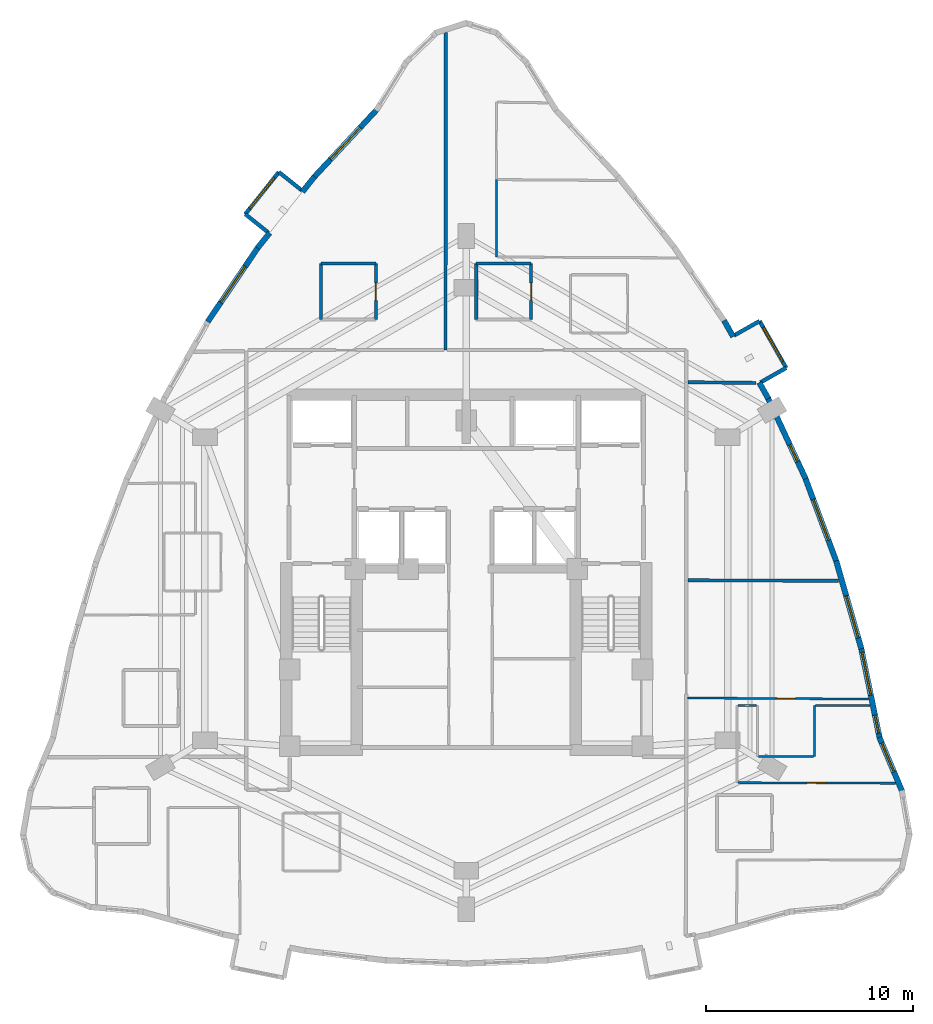
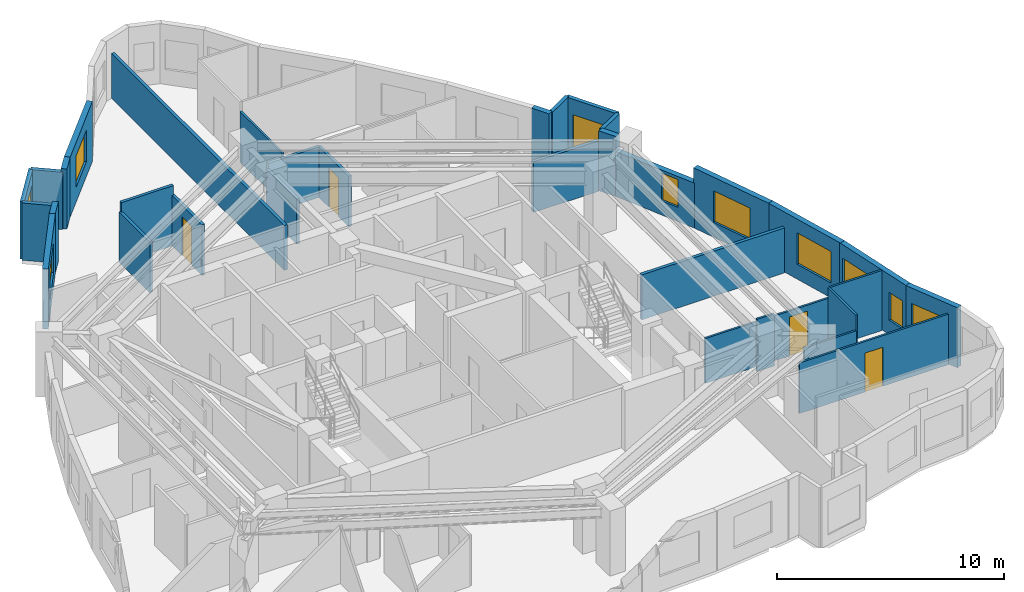
# One storey, part 9 of 11: 33 walls, 10 windows, 4 doors, 14 openings.
"""IFC4 building model written with IfcOpenShell, lengths in metres."""

from ifc_helpers import new_model, si_unit, direction, frame, frame_2d, origin, place, context, subcontext, project, spatial, rectangle, extrude, material, layer, layer_set, type_object, element, fill, save


model = new_model("IFC4")

# Units and contexts
model_context = context("Model", 3, precision=1e-05, world=origin(), true_north=direction((0.0, 1.0)))
body_context = subcontext(model_context, "Body", "Model", "MODEL_VIEW")
ifc_project = project(units=[si_unit("LENGTHUNIT", "METRE"), si_unit("AREAUNIT", "SQUARE_METRE"), si_unit("VOLUMEUNIT", "CUBIC_METRE"), si_unit("PLANEANGLEUNIT", "RADIAN"), si_unit("MASSUNIT", "GRAM", prefix="KILO")], contexts=[model_context])

# Site, building, storey
site_placement = place(None, origin())
site = spatial("IfcSite", under=ifc_project, at=site_placement, CompositionType="ELEMENT")
building_placement = place(site_placement, origin())
building = spatial("IfcBuilding", under=site, at=building_placement, Name="Miruveldt Soraemaru", CompositionType="ELEMENT")
storey_placement = place(building_placement, frame((0.0, 0.0, 159.89990234375)))
storey = spatial("IfcBuildingStorey", under=building, at=storey_placement, Name="L44", CompositionType="ELEMENT", Elevation=159.89990234375)

# Walls
ifc_material_1 = material(Name="White powder-coated aluminium EN AW-6060 T6", Category="aluminium")
ifc_layer_1 = layer(ifc_material_1, 0.18994140625, Name="White powder-coated aluminium EN AW-6060 T6", Category="aluminium")
ifc_layer_set_1 = layer_set([ifc_layer_1], Name="White powder-coated aluminium EN AW-6060 T6")
wall_type_1 = type_object("IfcWallType", Name="WALL-BAY-ALU190", PredefinedType="SOLIDWALL", material=ifc_layer_set_1)
for number, where, z_axis, x_axis, name in (
    (1, (36.082275390625, 62.29296875, 0.0), (0.0, 0.0, 1.0), (-0.781737193764, 0.623608017817, 0.0), "L44 Bay Window Side Cheek 4L"),
    (2, (33.3466796875, 61.149169921875, 0.0), (0.0, 0.0, 1.0), (0.781737193764, -0.623608017817, 0.0), "L44 Bay Window Side Cheek 4R"),
):
    element("IfcWall", number, at=place(storey_placement, frame(where, z_axis=z_axis, x_axis=x_axis)), inside=storey, type_object=wall_type_1, Name=name, PredefinedType="SOLIDWALL", context=body_context, shape_type="SweptSolid", body=[
        extrude(rectangle(XDim=1.425048828125, YDim=0.18994140625, at=frame_2d((0.71240234375, 0.0))), origin(), (0.0, 0.0, 1.0), 3.085205078125),
    ])

# Wall, opening, window
wall_1_placement = place(storey_placement, frame((34.96826171875, 63.181640625, 0.0), z_axis=(0.0, 0.0, 1.0), x_axis=(-0.623663926583, -0.781692590907, 0.0)))
wall_1 = element("IfcWall", 3, at=wall_1_placement, inside=storey, type_object=wall_type_1, Name="L44 Bay Window Front Frame 4", PredefinedType="SOLIDWALL", context=body_context, shape_type="SweptSolid", body=[
    extrude(rectangle(XDim=2.60009765625, YDim=0.18994140625, at=frame_2d((1.300048828125, 0.0))), origin(), (0.0, 0.0, 1.0), 3.085205078125),
])
opening_1_placement = place(wall_1_placement, frame((0.35009765625, 0.0, 0.550048828125)))
opening_1 = element("IfcOpeningElement", 4, at=opening_1_placement, cuts=wall_1, Name="Opening WN-6", PredefinedType="OPENING", context=body_context, shape_type="SweptSolid", body=[
    extrude(rectangle(XDim=1.89990234375, YDim=1.85009765625, at=frame_2d((0.949951171875, 0.925048828125))), frame((0.0, 0.10498046875, 0.0), z_axis=(0.0, -1.0, 0.0), x_axis=(1.0, 0.0, 0.0)), (0.0, 0.0, 1.0), 0.2099609375),
])
ifc_material_2 = material(Name="Triple low-e insulated glazing", Category="glass")
window_type_1 = type_object("IfcWindowType", Name="WIN-BAYW-1900x1850", PartitioningType="SINGLE_PANEL", PredefinedType="WINDOW", material=ifc_material_2)
window_1_placement = place(opening_1_placement, origin())
window_1 = element("IfcWindow", 5, at=window_1_placement, inside=storey, type_object=window_type_1, Name="L44 Projecting Bay Window 4", OverallHeight=1.85009765625, OverallWidth=1.89990234375, PartitioningType="SINGLE_PANEL", PredefinedType="WINDOW", context=body_context, shape_type="SweptSolid", body=[
    extrude(rectangle(XDim=1.89990234375, YDim=1.85009765625, at=frame_2d((0.949951171875, 0.925048828125))), frame((0.0, 0.030029296875, 0.0), z_axis=(0.0, -1.0, 0.0), x_axis=(1.0, 0.0, 0.0)), (0.0, 0.0, 1.0), 0.06005859375),
])
fill(opening_1, window_1)

# Walls
wall_2_placement = place(storey_placement, frame((58.1845703125, 53.0380859375, 0.0), z_axis=(0.0, 0.0, 1.0), x_axis=(0.869799191674, 0.493405883794, 0.0)))
element("IfcWall", 6, at=wall_2_placement, inside=storey, type_object=wall_type_1, Name="L44 Bay Window Side Cheek 3L", PredefinedType="SOLIDWALL", context=body_context, shape_type="SweptSolid", body=[
    extrude(rectangle(XDim=1.425048828125, YDim=0.18994140625, at=frame_2d((0.71240234375, 0.0))), origin(), (0.0, 0.0, 1.0), 3.235107421875),
])
wall_3_placement = place(storey_placement, frame((58.141357421875, 56.002685546875, 0.0), z_axis=(0.0, 0.0, 1.0), x_axis=(-0.869872713252, -0.493276253979, 0.0)))
element("IfcWall", 7, at=wall_3_placement, inside=storey, type_object=wall_type_1, Name="L44 Bay Window Side Cheek 3R", PredefinedType="SOLIDWALL", context=body_context, shape_type="SweptSolid", body=[
    extrude(rectangle(XDim=1.4248046875, YDim=0.18994140625, at=frame_2d((0.71240234375, 0.0))), origin(), (0.0, 0.0, 1.0), 3.235107421875),
])

# Wall, opening, window
wall_4_placement = place(storey_placement, frame((59.424072265625, 53.7412109375, 0.0), z_axis=(0.0, 0.0, 1.0), x_axis=(-0.493365555553, 0.869822067203, 0.0)))
wall_4 = element("IfcWall", 8, at=wall_4_placement, inside=storey, type_object=wall_type_1, Name="L44 Bay Window Front Frame 3", PredefinedType="SOLIDWALL", context=body_context, shape_type="SweptSolid", body=[
    extrude(rectangle(XDim=2.599853515625, YDim=0.18994140625, at=frame_2d((1.2998046875, 0.0))), origin(), (0.0, 0.0, 1.0), 3.235107421875),
])
opening_2_placement = place(wall_4_placement, frame((0.35009765625, 0.0, 0.550048828125)))
opening_2 = element("IfcOpeningElement", 9, at=opening_2_placement, cuts=wall_4, Name="Opening WN-6", PredefinedType="OPENING", context=body_context, shape_type="SweptSolid", body=[
    extrude(rectangle(XDim=1.89990234375, YDim=1.85009765625, at=frame_2d((0.949951171875, 0.925048828125))), frame((0.0, 0.10498046875, 0.0), z_axis=(0.0, -1.0, 0.0), x_axis=(1.0, 0.0, 0.0)), (0.0, 0.0, 1.0), 0.2099609375),
])
window_2_placement = place(opening_2_placement, origin())
window_2 = element("IfcWindow", 10, at=window_2_placement, inside=storey, type_object=window_type_1, Name="L44 Projecting Bay Window 3", OverallHeight=1.85009765625, OverallWidth=1.89990234375, PartitioningType="SINGLE_PANEL", PredefinedType="WINDOW", context=body_context, shape_type="SweptSolid", body=[
    extrude(rectangle(XDim=1.89990234375, YDim=1.85009765625, at=frame_2d((0.949951171875, 0.925048828125))), frame((0.0, 0.030029296875, 0.0), z_axis=(0.0, -1.0, 0.0), x_axis=(1.0, 0.0, 0.0)), (0.0, 0.0, 1.0), 0.06005859375),
])
fill(opening_2, window_2)

ifc_material_3 = material(Name="Precast concrete C45/55 (45 MPa)", Category="concrete")
ifc_layer_2 = layer(ifc_material_3, 0.27001953125, Name="Precast concrete C45/55 (45 MPa)", Category="concrete")
ifc_layer_set_2 = layer_set([ifc_layer_2], Name="Precast concrete C45/55 (45 MPa)")
wall_type_2 = type_object("IfcWallType", Name="WALL-EXT-PC270", PredefinedType="SOLIDWALL", material=ifc_layer_set_2)
wall_5_placement = place(storey_placement, frame((39.70263671875, 66.203369140625, 0.0), z_axis=(0.0, 0.0, 1.0), x_axis=(-0.680872139793, -0.732402300142, 0.0)))
wall_5 = element("IfcWall", 11, at=wall_5_placement, inside=storey, type_object=wall_type_2, Name="L44 Precast Concrete Facade Wall 7", PredefinedType="SOLIDWALL", context=body_context, shape_type="SweptSolid", body=[
    extrude(rectangle(XDim=4.491455078125, YDim=0.27001953125, at=frame_2d((2.24560546875, 0.0))), origin(), (0.0, 0.0, 1.0), 3.235107421875),
])
opening_3_placement = place(wall_5_placement, frame((1.195068359375, 0.0, 0.800048828125)))
opening_3 = element("IfcOpeningElement", 12, at=opening_3_placement, cuts=wall_5, Name="Opening WN-1", PredefinedType="OPENING", context=body_context, shape_type="SweptSolid", body=[
    extrude(rectangle(XDim=2.10009765625, YDim=1.699951171875, at=frame_2d((1.050048828125, 0.85009765625))), frame((0.0, 0.14501953125, 0.0), z_axis=(0.0, -1.0, 0.0), x_axis=(1.0, 0.0, 0.0)), (0.0, 0.0, 1.0), 0.2900390625),
])
window_type_2 = type_object("IfcWindowType", Name="WIN-PUNCH-2100x1700", PartitioningType="SINGLE_PANEL", PredefinedType="WINDOW", material=ifc_material_2)
window_3_placement = place(opening_3_placement, origin())
window_3 = element("IfcWindow", 13, at=window_3_placement, inside=storey, type_object=window_type_2, Name="L44 Punched Triple-Glazed Window 07.1", OverallHeight=1.699951171875, OverallWidth=2.10009765625, PartitioningType="SINGLE_PANEL", PredefinedType="WINDOW", context=body_context, shape_type="SweptSolid", body=[
    extrude(rectangle(XDim=2.10009765625, YDim=1.699951171875, at=frame_2d((1.050048828125, 0.85009765625))), frame((0.0, 0.030029296875, 0.0), z_axis=(0.0, -1.0, 0.0), x_axis=(1.0, 0.0, 0.0)), (0.0, 0.0, 1.0), 0.06005859375),
])
fill(opening_3, window_3)

# Walls
wall_6_placement = place(storey_placement, frame((36.690185546875, 62.966796875, 0.0), z_axis=(0.0, 0.0, 1.0), x_axis=(-0.623485377365, -0.781835010863, 0.0)))
element("IfcWall", 14, at=wall_6_placement, inside=storey, type_object=wall_type_2, Name="L44 Precast Pier Wall 8A", PredefinedType="SOLIDWALL", context=body_context, shape_type="SweptSolid", body=[
    extrude(rectangle(XDim=0.935791015625, YDim=0.27001953125, at=frame_2d((0.4677734375, 0.0))), origin(), (0.0, 0.0, 1.0), 3.235107421875),
])
wall_7_placement = place(storey_placement, frame((34.5224609375, 60.249755859375, 0.0), z_axis=(0.0, 0.0, 1.0), x_axis=(-0.623358229421, -0.781936389876, 0.0)))
element("IfcWall", 15, at=wall_7_placement, inside=storey, type_object=wall_type_2, Name="L44 Precast Pier Wall 8B", PredefinedType="SOLIDWALL", context=body_context, shape_type="SweptSolid", body=[
    extrude(rectangle(XDim=0.93603515625, YDim=0.27001953125, at=frame_2d((0.468017578125, 0.0))), origin(), (0.0, 0.0, 1.0), 3.235107421875),
])

# Wall, opening, window
wall_8_placement = place(storey_placement, frame((33.980224609375, 59.57421875, 0.0), z_axis=(0.0, 0.0, 1.0), x_axis=(-0.560825848464, -0.827933794271, 0.0)))
wall_8 = element("IfcWall", 16, at=wall_8_placement, inside=storey, type_object=wall_type_2, Name="L44 Precast Concrete Facade Wall 9", PredefinedType="SOLIDWALL", context=body_context, shape_type="SweptSolid", body=[
    extrude(rectangle(XDim=4.35791015625, YDim=0.27001953125, at=frame_2d((2.178955078125, 0.0))), origin(), (0.0, 0.0, 1.0), 3.235107421875),
])
opening_4_placement = place(wall_8_placement, frame((1.12890625, 0.0, 0.800048828125)))
opening_4 = element("IfcOpeningElement", 17, at=opening_4_placement, cuts=wall_8, Name="Opening WN-1", PredefinedType="OPENING", context=body_context, shape_type="SweptSolid", body=[
    extrude(rectangle(XDim=2.10009765625, YDim=1.699951171875, at=frame_2d((1.050048828125, 0.85009765625))), frame((0.0, 0.14501953125, 0.0), z_axis=(0.0, -1.0, 0.0), x_axis=(1.0, 0.0, 0.0)), (0.0, 0.0, 1.0), 0.2900390625),
])
window_4_placement = place(opening_4_placement, origin())
window_4 = element("IfcWindow", 18, at=window_4_placement, inside=storey, type_object=window_type_2, Name="L44 Punched Triple-Glazed Window 09.1", OverallHeight=1.699951171875, OverallWidth=2.10009765625, PartitioningType="SINGLE_PANEL", PredefinedType="WINDOW", context=body_context, shape_type="SweptSolid", body=[
    extrude(rectangle(XDim=2.10009765625, YDim=1.699951171875, at=frame_2d((1.050048828125, 0.85009765625))), frame((0.0, 0.030029296875, 0.0), z_axis=(0.0, -1.0, 0.0), x_axis=(1.0, 0.0, 0.0)), (0.0, 0.0, 1.0), 0.06005859375),
])
fill(opening_4, window_4)

wall_9_placement = place(storey_placement, frame((65.021728515625, 33.308837890625, 0.0), z_axis=(0.0, 0.0, 1.0), x_axis=(-0.38860845705, 0.921402988442, 0.0)))
wall_9 = element("IfcWall", 19, at=wall_9_placement, inside=storey, type_object=wall_type_2, Name="L44 Precast Concrete Facade Wall 34", PredefinedType="SOLIDWALL", context=body_context, shape_type="SweptSolid", body=[
    extrude(rectangle(XDim=2.849609375, YDim=0.27001953125, at=frame_2d((1.4248046875, 0.0))), origin(), (0.0, 0.0, 1.0), 3.235107421875),
])
opening_5_placement = place(wall_9_placement, frame((1.050048828125, 0.0, 0.800048828125)))
opening_5 = element("IfcOpeningElement", 20, at=opening_5_placement, cuts=wall_9, Name="Opening WN-3", PredefinedType="OPENING", context=body_context, shape_type="SweptSolid", body=[
    extrude(rectangle(XDim=1.5, YDim=1.60009765625, at=frame_2d((0.75, 0.800048828125))), frame((0.0, 0.14501953125, 0.0), z_axis=(0.0, -1.0, 0.0), x_axis=(1.0, 0.0, 0.0)), (0.0, 0.0, 1.0), 0.2900390625),
])
window_type_3 = type_object("IfcWindowType", Name="WIN-PUNCH-1500x1600", PartitioningType="SINGLE_PANEL", PredefinedType="WINDOW", material=ifc_material_2)
window_5_placement = place(opening_5_placement, origin())
window_5 = element("IfcWindow", 21, at=window_5_placement, inside=storey, type_object=window_type_3, Name="L44 Punched Triple-Glazed Window 34.1", OverallHeight=1.60009765625, OverallWidth=1.5, PartitioningType="SINGLE_PANEL", PredefinedType="WINDOW", context=body_context, shape_type="SweptSolid", body=[
    extrude(rectangle(XDim=1.5, YDim=1.60009765625, at=frame_2d((0.75, 0.800048828125))), frame((0.0, 0.030029296875, 0.0), z_axis=(0.0, -1.0, 0.0), x_axis=(1.0, 0.0, 0.0)), (0.0, 0.0, 1.0), 0.06005859375),
])
fill(opening_5, window_5)

# Wall, openings, windows
wall_10_placement = place(storey_placement, frame((63.934814453125, 35.8681640625, 0.0), z_axis=(0.0, 0.0, 1.0), x_axis=(-0.201559360884, 0.979476300908, 0.0)))
wall_10 = element("IfcWall", 22, at=wall_10_placement, inside=storey, type_object=wall_type_2, Name="L44 Precast Concrete Facade Wall 35", PredefinedType="SOLIDWALL", context=body_context, shape_type="SweptSolid", body=[
    extrude(rectangle(XDim=4.491455078125, YDim=0.27001953125, at=frame_2d((2.24560546875, 0.0))), origin(), (0.0, 0.0, 1.0), 3.235107421875),
])
opening_6_placement = place(wall_10_placement, frame((0.259033203125, 0.0, 0.780029296875)))
opening_6 = element("IfcOpeningElement", 23, at=opening_6_placement, cuts=wall_10, Name="Opening WN-7", PredefinedType="OPENING", context=body_context, shape_type="SweptSolid", body=[
    extrude(rectangle(XDim=0.89990234375, YDim=1.5, at=frame_2d((0.449951171875, 0.75))), frame((0.0, 0.14501953125, 0.0), z_axis=(0.0, -1.0, 0.0), x_axis=(1.0, 0.0, 0.0)), (0.0, 0.0, 1.0), 0.2900390625),
])
opening_7_placement = place(wall_10_placement, frame((2.14501953125, 0.0, 0.800048828125)))
opening_7 = element("IfcOpeningElement", 24, at=opening_7_placement, cuts=wall_10, Name="Opening WN-1", PredefinedType="OPENING", context=body_context, shape_type="SweptSolid", body=[
    extrude(rectangle(XDim=2.10009765625, YDim=1.699951171875, at=frame_2d((1.050048828125, 0.85009765625))), frame((0.0, 0.14501953125, 0.0), z_axis=(0.0, -1.0, 0.0), x_axis=(1.0, 0.0, 0.0)), (0.0, 0.0, 1.0), 0.2900390625),
])
window_6_placement = place(opening_7_placement, origin())
window_6 = element("IfcWindow", 25, at=window_6_placement, inside=storey, type_object=window_type_2, Name="L44 Punched Triple-Glazed Window 35.2", OverallHeight=1.699951171875, OverallWidth=2.10009765625, PartitioningType="SINGLE_PANEL", PredefinedType="WINDOW", context=body_context, shape_type="SweptSolid", body=[
    extrude(rectangle(XDim=2.10009765625, YDim=1.699951171875, at=frame_2d((1.050048828125, 0.85009765625))), frame((0.0, 0.030029296875, 0.0), z_axis=(0.0, -1.0, 0.0), x_axis=(1.0, 0.0, 0.0)), (0.0, 0.0, 1.0), 0.06005859375),
])
fill(opening_7, window_6)
window_type_4 = type_object("IfcWindowType", Name="WIN-PUNCH-900x1500", PartitioningType="SINGLE_PANEL", PredefinedType="WINDOW", material=ifc_material_2)
window_7_placement = place(opening_6_placement, origin())
window_7 = element("IfcWindow", 26, at=window_7_placement, inside=storey, type_object=window_type_4, Name="L44 Punched Triple-Glazed Window 35.1", OverallHeight=1.5, OverallWidth=0.89990234375, PartitioningType="SINGLE_PANEL", PredefinedType="WINDOW", context=body_context, shape_type="SweptSolid", body=[
    extrude(rectangle(XDim=0.89990234375, YDim=1.5, at=frame_2d((0.449951171875, 0.75))), frame((0.0, 0.030029296875, 0.0), z_axis=(0.0, -1.0, 0.0), x_axis=(1.0, 0.0, 0.0)), (0.0, 0.0, 1.0), 0.06005859375),
])
fill(opening_6, window_7)

# Wall, opening, window
wall_11_placement = place(storey_placement, frame((63.046142578125, 40.199462890625, 0.0), z_axis=(0.0, 0.0, 1.0), x_axis=(-0.274962298685, 0.961455008985, 0.0)))
wall_11 = element("IfcWall", 27, at=wall_11_placement, inside=storey, type_object=wall_type_2, Name="L44 Precast Concrete Facade Wall 36", PredefinedType="SOLIDWALL", context=body_context, shape_type="SweptSolid", body=[
    extrude(rectangle(XDim=4.412109375, YDim=0.27001953125, at=frame_2d((2.2060546875, 0.0))), origin(), (0.0, 0.0, 1.0), 3.235107421875),
])
opening_8_placement = place(wall_11_placement, frame((0.55810546875, 0.0, 0.800048828125)))
opening_8 = element("IfcOpeningElement", 28, at=opening_8_placement, cuts=wall_11, Name="Opening WN-1", PredefinedType="OPENING", context=body_context, shape_type="SweptSolid", body=[
    extrude(rectangle(XDim=2.10009765625, YDim=1.699951171875, at=frame_2d((1.050048828125, 0.85009765625))), frame((0.0, 0.14501953125, 0.0), z_axis=(0.0, -1.0, 0.0), x_axis=(1.0, 0.0, 0.0)), (0.0, 0.0, 1.0), 0.2900390625),
])
window_8_placement = place(opening_8_placement, origin())
window_8 = element("IfcWindow", 29, at=window_8_placement, inside=storey, type_object=window_type_2, Name="L44 Punched Triple-Glazed Window 36.1", OverallHeight=1.699951171875, OverallWidth=2.10009765625, PartitioningType="SINGLE_PANEL", PredefinedType="WINDOW", context=body_context, shape_type="SweptSolid", body=[
    extrude(rectangle(XDim=2.10009765625, YDim=1.699951171875, at=frame_2d((1.050048828125, 0.85009765625))), frame((0.0, 0.030029296875, 0.0), z_axis=(0.0, -1.0, 0.0), x_axis=(1.0, 0.0, 0.0)), (0.0, 0.0, 1.0), 0.06005859375),
])
fill(opening_8, window_8)

wall_12_placement = place(storey_placement, frame((61.85498046875, 44.375, 0.0), z_axis=(0.0, 0.0, 1.0), x_axis=(-0.349059830359, 0.937100440097, 0.0)))
wall_12 = element("IfcWall", 30, at=wall_12_placement, inside=storey, type_object=wall_type_2, Name="L44 Precast Concrete Facade Wall 37", PredefinedType="SOLIDWALL", context=body_context, shape_type="SweptSolid", body=[
    extrude(rectangle(XDim=4.358154296875, YDim=0.27001953125, at=frame_2d((2.17919921875, 0.0))), origin(), (0.0, 0.0, 1.0), 3.235107421875),
])
opening_9_placement = place(wall_12_placement, frame((1.12890625, 0.0, 0.800048828125)))
opening_9 = element("IfcOpeningElement", 31, at=opening_9_placement, cuts=wall_12, Name="Opening WN-1", PredefinedType="OPENING", context=body_context, shape_type="SweptSolid", body=[
    extrude(rectangle(XDim=2.10009765625, YDim=1.699951171875, at=frame_2d((1.050048828125, 0.85009765625))), frame((0.0, 0.14501953125, 0.0), z_axis=(0.0, -1.0, 0.0), x_axis=(1.0, 0.0, 0.0)), (0.0, 0.0, 1.0), 0.2900390625),
])
window_9_placement = place(opening_9_placement, origin())
window_9 = element("IfcWindow", 32, at=window_9_placement, inside=storey, type_object=window_type_2, Name="L44 Punched Triple-Glazed Window 37.1", OverallHeight=1.699951171875, OverallWidth=2.10009765625, PartitioningType="SINGLE_PANEL", PredefinedType="WINDOW", context=body_context, shape_type="SweptSolid", body=[
    extrude(rectangle(XDim=2.10009765625, YDim=1.699951171875, at=frame_2d((1.050048828125, 0.85009765625))), frame((0.0, 0.030029296875, 0.0), z_axis=(0.0, -1.0, 0.0), x_axis=(1.0, 0.0, 0.0)), (0.0, 0.0, 1.0), 0.06005859375),
])
fill(opening_9, window_9)

wall_13_placement = place(storey_placement, frame((60.36083984375, 48.39453125, 0.0), z_axis=(0.0, 0.0, 1.0), x_axis=(-0.422329907361, 0.906442193054, 0.0)))
wall_13 = element("IfcWall", 33, at=wall_13_placement, inside=storey, type_object=wall_type_2, Name="L44 Precast Concrete Facade Wall 38", PredefinedType="SOLIDWALL", context=body_context, shape_type="SweptSolid", body=[
    extrude(rectangle(XDim=4.3310546875, YDim=0.27001953125, at=frame_2d((2.16552734375, 0.0))), origin(), (0.0, 0.0, 1.0), 2.423095703125),
])
opening_10_placement = place(wall_13_placement, frame((0.907958984375, 0.0, 0.762939453125)))
opening_10 = element("IfcOpeningElement", 34, at=opening_10_placement, cuts=wall_13, Name="Opening WN-7", PredefinedType="OPENING", context=body_context, shape_type="SweptSolid", body=[
    extrude(rectangle(XDim=0.89990234375, YDim=1.5, at=frame_2d((0.449951171875, 0.75))), frame((0.0, 0.14501953125, 0.0), z_axis=(0.0, -1.0, 0.0), x_axis=(1.0, 0.0, 0.0)), (0.0, 0.0, 1.0), 0.2900390625),
])
window_10_placement = place(opening_10_placement, origin())
window_10 = element("IfcWindow", 35, at=window_10_placement, inside=storey, type_object=window_type_4, Name="L44 Punched Triple-Glazed Window 38.1", OverallHeight=1.5, OverallWidth=0.89990234375, PartitioningType="SINGLE_PANEL", PredefinedType="WINDOW", context=body_context, shape_type="SweptSolid", body=[
    extrude(rectangle(XDim=0.89990234375, YDim=1.5, at=frame_2d((0.449951171875, 0.75))), frame((0.0, 0.030029296875, 0.0), z_axis=(0.0, -1.0, 0.0), x_axis=(1.0, 0.0, 0.0)), (0.0, 0.0, 1.0), 0.06005859375),
])
fill(opening_10, window_10)

# Walls
wall_14_placement = place(storey_placement, frame((58.563720703125, 52.25830078125, 0.0), z_axis=(0.0, 0.0, 1.0), x_axis=(-0.493287755382, 0.869866191083, 0.0)))
element("IfcWall", 36, at=wall_14_placement, inside=storey, type_object=wall_type_2, Name="L44 Precast Pier Wall 39A", PredefinedType="SOLIDWALL", context=body_context, shape_type="SweptSolid", body=[
    extrude(rectangle(XDim=0.895263671875, YDim=0.27001953125, at=frame_2d((0.44775390625, 0.0))), origin(), (0.0, 0.0, 1.0), 3.235107421875),
])
wall_15_placement = place(storey_placement, frame((56.868896484375, 55.24658203125, 0.0), z_axis=(0.0, 0.0, 1.0), x_axis=(-0.493494045792, 0.869749174629, 0.0)))
element("IfcWall", 37, at=wall_15_placement, inside=storey, type_object=wall_type_2, Name="L44 Precast Pier Wall 39B", PredefinedType="SOLIDWALL", context=body_context, shape_type="SweptSolid", body=[
    extrude(rectangle(XDim=0.8955078125, YDim=0.27001953125, at=frame_2d((0.44775390625, 0.0))), origin(), (0.0, 0.0, 1.0), 3.235107421875),
])

# Wall, opening, door
ifc_material_4 = material(Name="Gypsum plasterboard lining", Category="gypsum")
ifc_layer_3 = layer(ifc_material_4, 0.10009765625, Name="Gypsum plasterboard lining", Category="gypsum")
ifc_layer_set_3 = layer_set([ifc_layer_3], Name="Gypsum plasterboard lining")
wall_type_3 = type_object("IfcWallType", Name="WALL-INT-P100", PredefinedType="PARTITIONING", material=ifc_layer_set_3)
wall_16_placement = place(storey_placement, frame((63.395751953125, 37.778564453125, 0.0), z_axis=(0.0, 0.0, 1.0), x_axis=(-0.999982593788, 0.005900179729, 0.0)))
wall_16 = element("IfcWall", 38, at=wall_16_placement, inside=storey, type_object=wall_type_3, Name="L44 Partition Wall 51", PredefinedType="PARTITIONING", context=body_context, shape_type="SweptSolid", body=[
    extrude(rectangle(XDim=8.73095703125, YDim=0.10009765625, at=frame_2d((4.365478515625, 0.0))), origin(), (0.0, 0.0, 1.0), 2.423095703125),
])
opening_11_placement = place(wall_16_placement, frame((3.531005859375, 0.0, 0.0)))
opening_11 = element("IfcOpeningElement", 39, at=opening_11_placement, cuts=wall_16, Name="Opening D3A", PredefinedType="OPENING", context=body_context, shape_type="SweptSolid", body=[
    extrude(rectangle(XDim=0.919921875, YDim=2.10009765625, at=frame_2d((0.4599609375, 1.050048828125))), frame((0.0, 0.06005859375, 0.0), z_axis=(0.0, -1.0, 0.0), x_axis=(1.0, 0.0, 0.0)), (0.0, 0.0, 1.0), 0.1201171875),
])
ifc_material_5 = material(Name="Anodised aluminium EN AW-6063 T6", Category="aluminium")
door_type_1 = type_object("IfcDoorType", Name="DOOR-INT-920", OperationType="NOTDEFINED", PredefinedType="DOOR", material=ifc_material_5)
door_1_placement = place(opening_11_placement, origin())
door_1 = element("IfcDoor", 40, at=door_1_placement, inside=storey, type_object=door_type_1, Name="L44 Unit 4405 KIT Door", OperationType="SINGLE_SWING_RIGHT", OverallHeight=2.10009765625, OverallWidth=0.919921875, PredefinedType="DOOR", context=body_context, shape_type="SweptSolid", body=[
    extrude(rectangle(XDim=0.919921875, YDim=2.10009765625, at=frame_2d((0.4599609375, 1.050048828125))), frame((0.0, 0.02490234375, 0.0), z_axis=(0.0, -1.0, 0.0), x_axis=(1.0, 0.0, 0.0)), (0.0, 0.0, 1.0), 0.050048828125),
])
fill(opening_11, door_1)

wall_17_placement = place(storey_placement, frame((64.68603515625, 33.719970703125, 0.0), z_axis=(0.0, 0.0, 1.0), x_axis=(-0.999993619226, 0.0035723253, 0.0)))
wall_17 = element("IfcWall", 41, at=wall_17_placement, inside=storey, type_object=wall_type_3, Name="L44 Partition Wall 54", PredefinedType="PARTITIONING", context=body_context, shape_type="SweptSolid", body=[
    extrude(rectangle(XDim=7.5859375, YDim=0.10009765625, at=frame_2d((3.79296875, 0.0))), origin(), (0.0, 0.0, 1.0), 2.72314453125),
])
opening_12_placement = place(wall_17_placement, frame((3.3330078125, 0.0, 0.0)))
opening_12 = element("IfcOpeningElement", 42, at=opening_12_placement, cuts=wall_17, Name="Opening D3A", PredefinedType="OPENING", context=body_context, shape_type="SweptSolid", body=[
    extrude(rectangle(XDim=0.919921875, YDim=2.10009765625, at=frame_2d((0.4599609375, 1.050048828125))), frame((0.0, 0.06005859375, 0.0), z_axis=(0.0, -1.0, 0.0), x_axis=(1.0, 0.0, 0.0)), (0.0, 0.0, 1.0), 0.1201171875),
])
door_2_placement = place(opening_12_placement, origin())
door_2 = element("IfcDoor", 43, at=door_2_placement, inside=storey, type_object=door_type_1, Name="L44 Unit 4405 EXT Door", OperationType="SINGLE_SWING_RIGHT", OverallHeight=2.10009765625, OverallWidth=0.919921875, PredefinedType="DOOR", context=body_context, shape_type="SweptSolid", body=[
    extrude(rectangle(XDim=0.919921875, YDim=2.10009765625, at=frame_2d((0.4599609375, 1.050048828125))), frame((0.0, 0.02490234375, 0.0), z_axis=(0.0, -1.0, 0.0), x_axis=(1.0, 0.0, 0.0)), (0.0, 0.0, 1.0), 0.050048828125),
])
fill(opening_12, door_2)

# Walls
wall_18_placement = place(storey_placement, frame((45.449951171875, 59.08203125, 0.0), z_axis=(0.0, 0.0, 1.0), x_axis=(0.0, 1.0, 0.0)))
element("IfcWall", 44, at=wall_18_placement, inside=storey, type_object=wall_type_3, Name="L44 Partition Wall 26", PredefinedType="PARTITIONING", context=body_context, shape_type="SweptSolid", body=[
    extrude(rectangle(XDim=3.73388671875, YDim=0.10009765625, at=frame_2d((1.866943359375, 0.0))), origin(), (0.0, 0.0, 1.0), 2.72314453125),
])
wall_19_placement = place(storey_placement, frame((58.080078125, 35.010009765625, 0.0), z_axis=(0.0, 0.0, 1.0), x_axis=(1.0, 0.0, 0.0)))
element("IfcWall", 45, at=wall_19_placement, inside=storey, type_object=wall_type_3, Name="L44 Partition Wall 60", PredefinedType="PARTITIONING", context=body_context, shape_type="SweptSolid", body=[
    extrude(rectangle(XDim=2.64990234375, YDim=0.10009765625, at=frame_2d((1.324951171875, 0.0))), origin(), (0.0, 0.0, 1.0), 2.423095703125),
])
wall_20_placement = place(storey_placement, frame((60.830078125, 37.47607421875, 0.0), z_axis=(0.0, 0.0, 1.0), x_axis=(0.999985440006, -0.005396274239, 0.0)))
element("IfcWall", 46, at=wall_20_placement, inside=storey, type_object=wall_type_3, Name="L44 Partition Wall 57", PredefinedType="PARTITIONING", context=body_context, shape_type="SweptSolid", body=[
    extrude(rectangle(XDim=2.6240234375, YDim=0.10009765625, at=frame_2d((1.31201171875, 0.0))), origin(), (0.0, 0.0, 1.0), 3.235107421875),
])
wall_21_placement = place(storey_placement, frame((60.780029296875, 35.010009765625, 0.0), z_axis=(0.0, 0.0, 1.0), x_axis=(0.0, 1.0, 0.0)))
element("IfcWall", 47, at=wall_21_placement, inside=storey, type_object=wall_type_3, Name="L44 Partition Wall 61", PredefinedType="PARTITIONING", context=body_context, shape_type="SweptSolid", body=[
    extrude(rectangle(XDim=2.466064453125, YDim=0.10009765625, at=frame_2d((1.23291015625, 0.0))), origin(), (0.0, 0.0, 1.0), 3.235107421875),
])
wall_22_placement = place(storey_placement, frame((57.10009765625, 37.47607421875, 0.0), z_axis=(0.0, 0.0, 1.0), x_axis=(1.0, 0.0, 0.0)))
element("IfcWall", 48, at=wall_22_placement, inside=storey, type_object=wall_type_3, Name="L44 Partition Wall 56", PredefinedType="PARTITIONING", context=body_context, shape_type="SweptSolid", body=[
    extrude(rectangle(XDim=0.8798828125, YDim=0.10009765625, at=frame_2d((0.43994140625, 0.0))), origin(), (0.0, 0.0, 1.0), 2.822998046875),
])

# Wall, opening, door
ifc_layer_4 = layer(ifc_material_4, 0.14990234375, Name="Gypsum plasterboard lining", Category="gypsum")
ifc_layer_set_4 = layer_set([ifc_layer_4], Name="Gypsum plasterboard lining")
wall_type_4 = type_object("IfcWallType", Name="WALL-INT-PLUMB", PredefinedType="PLUMBINGWALL", material=ifc_layer_set_4)
wall_23_placement = place(storey_placement, frame((39.64990234375, 56.080078125, 0.0), z_axis=(0.0, 0.0, 1.0), x_axis=(0.0, 1.0, 0.0)))
wall_23 = element("IfcWall", 49, at=wall_23_placement, inside=storey, type_object=wall_type_4, Name="L44 Partition Wall 11", PredefinedType="PLUMBINGWALL", context=body_context, shape_type="SweptSolid", body=[
    extrude(rectangle(XDim=2.699951171875, YDim=0.14990234375, at=frame_2d((1.35009765625, 0.0))), origin(), (0.0, 0.0, 1.0), 2.72314453125),
])
opening_13_placement = place(wall_23_placement, frame((0.909912109375, 0.0, 0.0)))
opening_13 = element("IfcOpeningElement", 50, at=opening_13_placement, cuts=wall_23, Name="Opening FD3", PredefinedType="OPENING", context=body_context, shape_type="SweptSolid", body=[
    extrude(rectangle(XDim=0.85009765625, YDim=2.10009765625, at=frame_2d((0.425048828125, 1.050048828125))), frame((0.0, 0.0849609375, 0.0), z_axis=(0.0, -1.0, 0.0), x_axis=(1.0, 0.0, 0.0)), (0.0, 0.0, 1.0), 0.169921875),
])
door_type_2 = type_object("IfcDoorType", Name="DOOR-FD3-850", OperationType="NOTDEFINED", PredefinedType="DOOR", material=ifc_material_5)
door_3_placement = place(opening_13_placement, origin())
door_3 = element("IfcDoor", 51, at=door_3_placement, inside=storey, type_object=door_type_2, Name="L44 Unit CL01 BTH Door", OperationType="SINGLE_SWING_LEFT", OverallHeight=2.10009765625, OverallWidth=0.85009765625, PredefinedType="DOOR", context=body_context, shape_type="SweptSolid", body=[
    extrude(rectangle(XDim=0.85009765625, YDim=2.10009765625, at=frame_2d((0.425048828125, 1.050048828125))), frame((0.0, 0.02490234375, 0.0), z_axis=(0.0, -1.0, 0.0), x_axis=(1.0, 0.0, 0.0)), (0.0, 0.0, 1.0), 0.050048828125),
])
fill(opening_13, door_3)

wall_24_placement = place(storey_placement, frame((47.131103515625, 56.080078125, 0.0), z_axis=(0.0, 0.0, 1.0), x_axis=(0.0, 1.0, 0.0)))
wall_24 = element("IfcWall", 52, at=wall_24_placement, inside=storey, type_object=wall_type_4, Name="L44 Partition Wall 17", PredefinedType="PLUMBINGWALL", context=body_context, shape_type="SweptSolid", body=[
    extrude(rectangle(XDim=2.699951171875, YDim=0.14990234375, at=frame_2d((1.35009765625, 0.0))), origin(), (0.0, 0.0, 1.0), 2.72314453125),
])
opening_14_placement = place(wall_24_placement, frame((0.909912109375, 0.0, 0.0)))
opening_14 = element("IfcOpeningElement", 53, at=opening_14_placement, cuts=wall_24, Name="Opening FD3", PredefinedType="OPENING", context=body_context, shape_type="SweptSolid", body=[
    extrude(rectangle(XDim=0.85009765625, YDim=2.10009765625, at=frame_2d((0.425048828125, 1.050048828125))), frame((0.0, 0.0849609375, 0.0), z_axis=(0.0, -1.0, 0.0), x_axis=(1.0, 0.0, 0.0)), (0.0, 0.0, 1.0), 0.169921875),
])
door_4_placement = place(opening_14_placement, origin())
door_4 = element("IfcDoor", 54, at=door_4_placement, inside=storey, type_object=door_type_2, Name="L44 Unit 4402 BTH Door", OperationType="SINGLE_SWING_LEFT", OverallHeight=2.10009765625, OverallWidth=0.85009765625, PredefinedType="DOOR", context=body_context, shape_type="SweptSolid", body=[
    extrude(rectangle(XDim=0.85009765625, YDim=2.10009765625, at=frame_2d((0.425048828125, 1.050048828125))), frame((0.0, 0.02490234375, 0.0), z_axis=(0.0, -1.0, 0.0), x_axis=(1.0, 0.0, 0.0)), (0.0, 0.0, 1.0), 0.050048828125),
])
fill(opening_14, door_4)

# Walls
wall_25_placement = place(storey_placement, frame((37.0, 58.780029296875, 0.0), z_axis=(0.0, 0.0, 1.0), x_axis=(0.0, -1.0, 0.0)))
element("IfcWall", 55, at=wall_25_placement, inside=storey, type_object=wall_type_4, Name="L44 Partition Wall 13", PredefinedType="PLUMBINGWALL", context=body_context, shape_type="SweptSolid", body=[
    extrude(rectangle(XDim=2.699951171875, YDim=0.14990234375, at=frame_2d((1.35009765625, 0.0))), origin(), (0.0, 0.0, 1.0), 2.72314453125),
])
wall_26_placement = place(storey_placement, frame((44.48095703125, 58.780029296875, 0.0), z_axis=(0.0, 0.0, 1.0), x_axis=(0.0, -1.0, 0.0)))
element("IfcWall", 56, at=wall_26_placement, inside=storey, type_object=wall_type_4, Name="L44 Partition Wall 19", PredefinedType="PLUMBINGWALL", context=body_context, shape_type="SweptSolid", body=[
    extrude(rectangle(XDim=2.699951171875, YDim=0.14990234375, at=frame_2d((1.35009765625, 0.0))), origin(), (0.0, 0.0, 1.0), 2.423095703125),
])
wall_27_placement = place(storey_placement, frame((39.64990234375, 58.780029296875, 0.0), z_axis=(0.0, 0.0, 1.0), x_axis=(-1.0, 0.0, 0.0)))
element("IfcWall", 57, at=wall_27_placement, inside=storey, type_object=wall_type_4, Name="L44 Partition Wall 12", PredefinedType="PLUMBINGWALL", context=body_context, shape_type="SweptSolid", body=[
    extrude(rectangle(XDim=2.64990234375, YDim=0.14990234375, at=frame_2d((1.324951171875, 0.0))), origin(), (0.0, 0.0, 1.0), 3.235107421875),
])
wall_28_placement = place(storey_placement, frame((47.131103515625, 58.780029296875, 0.0), z_axis=(0.0, 0.0, 1.0), x_axis=(-1.0, 0.0, 0.0)))
element("IfcWall", 58, at=wall_28_placement, inside=storey, type_object=wall_type_4, Name="L44 Partition Wall 18", PredefinedType="PLUMBINGWALL", context=body_context, shape_type="SweptSolid", body=[
    extrude(rectangle(XDim=2.650146484375, YDim=0.14990234375, at=frame_2d((1.3251953125, 0.0))), origin(), (0.0, 0.0, 1.0), 2.72314453125),
])
ifc_material_6 = material(Name="Concrete C40/50 (40 MPa)", Category="concrete")
ifc_layer_5 = layer(ifc_material_6, 0.159912109375, Name="Concrete C40/50 (40 MPa)", Category="concrete")
ifc_layer_set_5 = layer_set([ifc_layer_5], Name="Concrete C40/50 (40 MPa)")
wall_type_5 = type_object("IfcWallType", Name="WALL-INT-RC160", PredefinedType="SOLIDWALL", material=ifc_layer_set_5)
wall_29_placement = place(storey_placement, frame((43.0, 54.60302734375, 0.0), z_axis=(0.0, 0.0, 1.0), x_axis=(0.001309150165, 0.999999143063, 0.0)))
element("IfcWall", 59, at=wall_29_placement, inside=storey, type_object=wall_type_5, Name="L44 Partition Wall 15", PredefinedType="SOLIDWALL", context=body_context, shape_type="SweptSolid", body=[
    extrude(rectangle(XDim=15.2919921875, YDim=0.159912109375, at=frame_2d((7.64599609375, 0.0))), origin(), (0.0, 0.0, 1.0), 2.423095703125),
])
wall_30_placement = place(storey_placement, frame((54.68310546875, 43.5, 0.0), z_axis=(0.0, 0.0, 1.0), x_axis=(0.999996911225, -0.002485465738, 0.0)))
element("IfcWall", 60, at=wall_30_placement, inside=storey, type_object=wall_type_5, Name="L44 Partition Wall 46", PredefinedType="SOLIDWALL", context=body_context, shape_type="SweptSolid", body=[
    extrude(rectangle(XDim=7.268798828125, YDim=0.159912109375, at=frame_2d((3.63427734375, 0.0))), origin(), (0.0, 0.0, 1.0), 2.423095703125),
])
wall_31_placement = place(storey_placement, frame((54.679931640625, 53.049072265625, 0.0), z_axis=(0.0, 0.0, 1.0), x_axis=(0.999945775151, -0.010413777321, 0.0)))
element("IfcWall", 61, at=wall_31_placement, inside=storey, type_object=wall_type_5, Name="L44 Partition Wall 29", PredefinedType="SOLIDWALL", context=body_context, shape_type="SweptSolid", body=[
    extrude(rectangle(XDim=3.2822265625, YDim=0.159912109375, at=frame_2d((1.64111328125, 0.0))), origin(), (0.0, 0.0, 1.0), 2.72314453125),
])

save(model, "model.ifc")
